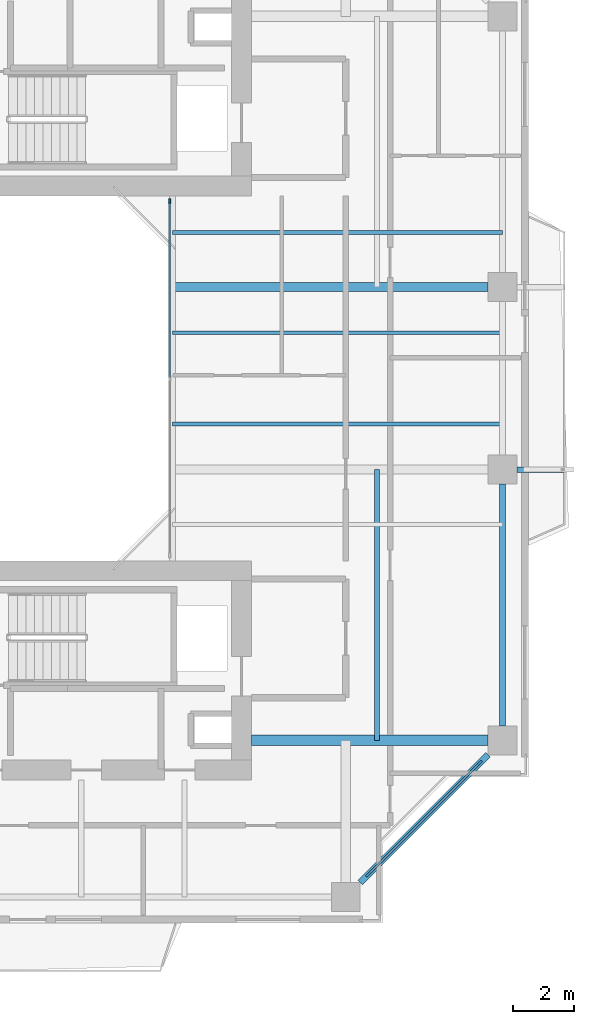
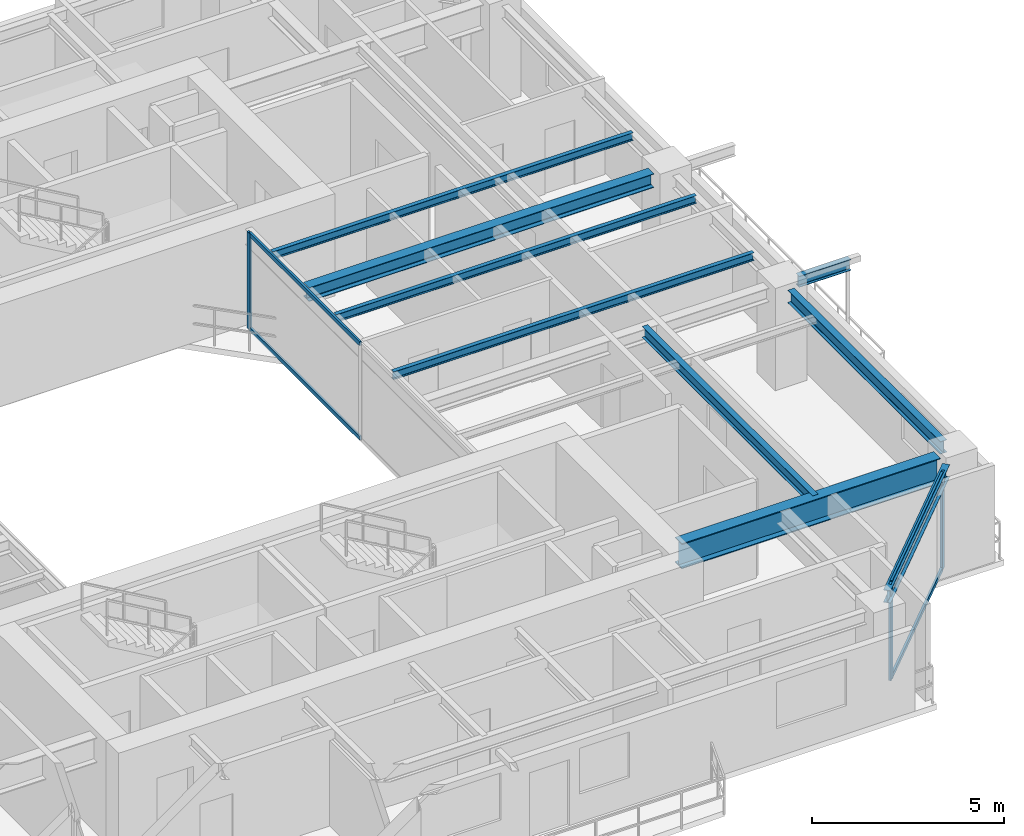
# One storey, part 7 of 18: 9 beams, 7 members, 2 elements without a shape of their own.
"""IFC4 building model written with IfcOpenShell, lengths in metres."""

from ifc_helpers import new_model, si_unit, direction, frame, origin, origin_2d, place, context, subcontext, project, spatial, rectangle, i_section, extrude, source, transform, mapped, material, layer, layer_set, material_profile, profile_set, type_object, element, aggregate, save


model = new_model("IFC4")

# Units and contexts
model_context = context("Model", 3, precision=1e-05, world=origin(), true_north=direction((0.0, 1.0)))
body_context = subcontext(model_context, "Body", "Model", "MODEL_VIEW")
ifc_project = project(units=[si_unit("LENGTHUNIT", "METRE"), si_unit("AREAUNIT", "SQUARE_METRE"), si_unit("VOLUMEUNIT", "CUBIC_METRE"), si_unit("PLANEANGLEUNIT", "RADIAN"), si_unit("MASSUNIT", "GRAM", prefix="KILO"), si_unit("THERMODYNAMICTEMPERATUREUNIT", "KELVIN"), si_unit("POWERUNIT", "WATT")], contexts=[model_context])

# Site, building, storey
site_placement = place(None, origin())
site = spatial("IfcSite", under=ifc_project, at=site_placement, CompositionType="ELEMENT")
building_placement = place(site_placement, origin())
building = spatial("IfcBuilding", under=site, at=building_placement, Name="Qiaomeng Ring Towers", CompositionType="ELEMENT")
storey_placement = place(building_placement, frame((0.0, 0.0, 147.0)))
storey = spatial("IfcBuildingStorey", under=building, at=storey_placement, Name="L42", CompositionType="ELEMENT", Elevation=147.0)

# Beams
ifc_material_1 = material(Name="Steel Q355B", Category="steel")
ifc_material_profile_1 = material_profile(ifc_material_1, i_section(OverallWidth=0.125, OverallDepth=0.25, WebThickness=0.006103515625, FlangeThickness=0.009033203125, FilletRadius=0.011962890625, at=origin_2d()), Name="HN 250x125x6x9")
ifc_profile_set_1 = profile_set([ifc_material_profile_1], Name="Steel Q355B")
beam_type_1 = type_object("IfcBeamType", Name="STR-BM-HN250", PredefinedType="JOIST", material=ifc_profile_set_1)
shared_shape_1 = source(origin(), body_context, "Body", "SweptSolid", [
    extrude(i_section(OverallWidth=0.125, OverallDepth=0.25, WebThickness=0.006103515625, FlangeThickness=0.009033203125, FilletRadius=0.011962890625, at=origin_2d()), origin(), (0.0, 0.0, 1.0), 10.85009765625),
])
for number, where, z_axis, x_axis, name in (
    (1, (25.199951171875, 21.5, 2.945068359375), (1.0, 0.0, 0.0), (0.0, 1.0, 0.0), "L42 beam STR-JST-L42-T1E-2"),
    (2, (25.199951171875, 24.5, 2.945068359375), (1.0, 0.0, 0.0), (0.0, 1.0, 0.0), "L42 beam STR-JST-L42-T1E-3"),
    (3, (25.199951171875, 27.800048828125, 2.945068359375), (1.0, 0.0, 0.0), (0.0, 1.0, 0.0), "L42 beam STR-JST-L42-T1E-4"),
):
    element("IfcBeam", number, at=place(storey_placement, frame(where, z_axis=z_axis, x_axis=x_axis)), inside=storey, type_object=beam_type_1, Name=name, PredefinedType="JOIST", context=body_context, shape_type="MappedRepresentation", body=[
        mapped(shared_shape_1, transform((0.0, 0.0, 0.0), x_axis=(1.0, 0.0, 0.0), y_axis=(0.0, 1.0, 0.0), z_axis=(0.0, 0.0, 1.0), scale=1.0)),
    ])
ifc_material_profile_2 = material_profile(ifc_material_1, i_section(OverallWidth=0.175048828125, OverallDepth=0.35009765625, WebThickness=0.007080078125, FlangeThickness=0.010986328125, FilletRadius=0.013916015625, at=origin_2d()), Name="HN 350x175x7x11")
ifc_profile_set_2 = profile_set([ifc_material_profile_2], Name="Steel Q355B")
beam_type_2 = type_object("IfcBeamType", Name="STR-BM-HN350", PredefinedType="JOIST", material=ifc_profile_set_2)
shared_shape_2 = source(origin(), body_context, "Body", "SweptSolid", [
    extrude(i_section(OverallWidth=0.175048828125, OverallDepth=0.35009765625, WebThickness=0.007080078125, FlangeThickness=0.010986328125, FilletRadius=0.013916015625, at=origin_2d()), origin(), (0.0, 0.0, 1.0), 8.89990234375),
])
beam_1_placement = place(storey_placement, frame((31.925048828125, 11.10009765625, 2.89501953125), z_axis=(0.0, 1.0, 0.0), x_axis=(-1.0, 0.0, 0.0)))
element("IfcBeam", 4, at=beam_1_placement, inside=storey, type_object=beam_type_2, Name="L42 beam STR-JST-L42-T1C-ES", PredefinedType="JOIST", context=body_context, shape_type="MappedRepresentation", body=[
    mapped(shared_shape_2, transform((0.0, 0.0, 0.0), x_axis=(1.0, 0.0, 0.0), y_axis=(0.0, 1.0, 0.0), z_axis=(0.0, 0.0, 1.0), scale=1.0)),
])
ifc_material_profile_3 = material_profile(ifc_material_1, i_section(OverallWidth=0.199951171875, OverallDepth=0.39990234375, WebThickness=0.008056640625, FlangeThickness=0.012939453125, FilletRadius=0.01611328125, at=origin_2d()), Name="HN 400x200x8x13")
ifc_profile_set_3 = profile_set([ifc_material_profile_3], Name="Steel Q355B")
beam_type_3 = type_object("IfcBeamType", Name="STR-BM-HN400", PredefinedType="SPANDREL", material=ifc_profile_set_3)
shared_shape_3 = source(origin(), body_context, "Body", "SweptSolid", [
    extrude(i_section(OverallWidth=0.199951171875, OverallDepth=0.39990234375, WebThickness=0.008056640625, FlangeThickness=0.012939453125, FilletRadius=0.01611328125, at=origin_2d()), origin(), (0.0, 0.0, 1.0), 5.941650390625),
])
beam_2_placement = place(storey_placement, frame((31.374267578125, 6.42431640625, 2.8701171875), z_axis=(0.707106781187, 0.707106781187, 0.0), x_axis=(-0.707106781187, 0.707106781187, 0.0)))
element("IfcBeam", 5, at=beam_2_placement, inside=storey, type_object=beam_type_3, Name="L42 beam STR-SP-L42-T1-S2-E1", PredefinedType="SPANDREL", context=body_context, shape_type="MappedRepresentation", body=[
    mapped(shared_shape_3, transform((0.0, 0.0, 0.0), x_axis=(1.0, 0.0, 0.0), y_axis=(0.0, 1.0, 0.0), z_axis=(0.0, 0.0, 1.0), scale=1.0)),
])
shared_shape_4 = source(origin(), body_context, "Body", "SweptSolid", [
    extrude(i_section(OverallWidth=0.199951171875, OverallDepth=0.39990234375, WebThickness=0.008056640625, FlangeThickness=0.012939453125, FilletRadius=0.01611328125, at=origin_2d()), origin(), (0.0, 0.0, 1.0), 7.951904296875),
])
beam_3_placement = place(storey_placement, frame((36.050048828125, 11.573974609375, 2.8701171875), z_axis=(0.0, 1.0, 0.0), x_axis=(-1.0, 0.0, 0.0)))
element("IfcBeam", 6, at=beam_3_placement, inside=storey, type_object=beam_type_3, Name="L42 beam STR-SP-L42-T1-E1-E2", PredefinedType="SPANDREL", context=body_context, shape_type="MappedRepresentation", body=[
    mapped(shared_shape_4, transform((0.0, 0.0, 0.0), x_axis=(1.0, 0.0, 0.0), y_axis=(0.0, 1.0, 0.0), z_axis=(0.0, 0.0, 1.0), scale=1.0)),
])
ifc_material_2 = material(Name="Steel Q390GJC", Category="steel")
ifc_material_profile_4 = material_profile(ifc_material_2, i_section(OverallWidth=0.35009765625, OverallDepth=0.800048828125, WebThickness=0.01611328125, FlangeThickness=0.028076171875, at=origin_2d()), Name="WH 800x350x16x28")
ifc_profile_set_4 = profile_set([ifc_material_profile_4], Name="Steel Q390GJC")
beam_type_4 = type_object("IfcBeamType", Name="STR-BM-WH800", PredefinedType="BEAM", material=ifc_profile_set_4)
shared_shape_5 = source(origin(), body_context, "Body", "SweptSolid", [
    extrude(i_section(OverallWidth=0.35009765625, OverallDepth=0.800048828125, WebThickness=0.01611328125, FlangeThickness=0.028076171875, at=origin_2d()), origin(), (0.0, 0.0, 1.0), 7.77587890625),
])
beam_4_placement = place(storey_placement, frame((27.800048828125, 11.10009765625, 2.669921875), z_axis=(1.0, 0.0, 0.0), x_axis=(0.0, 1.0, 0.0)))
element("IfcBeam", 7, at=beam_4_placement, inside=storey, type_object=beam_type_4, Name="L42 beam STR-BM-L42-T1-RAD-E1", PredefinedType="BEAM", context=body_context, shape_type="MappedRepresentation", body=[
    mapped(shared_shape_5, transform((0.0, 0.0, 0.0), x_axis=(1.0, 0.0, 0.0), y_axis=(0.0, 1.0, 0.0), z_axis=(0.0, 0.0, 1.0), scale=1.0)),
])
ifc_material_profile_5 = material_profile(ifc_material_1, i_section(OverallWidth=0.300048828125, OverallDepth=0.43994140625, WebThickness=0.010986328125, FlangeThickness=0.01806640625, FilletRadius=0.02392578125, at=origin_2d()), Name="HM 440x300x11x18")
ifc_profile_set_5 = profile_set([ifc_material_profile_5], Name="Steel Q355B")
beam_type_5 = type_object("IfcBeamType", Name="STR-BM-HM440", PredefinedType="BEAM", material=ifc_profile_set_5)
shared_shape_6 = source(origin(), body_context, "Body", "SweptSolid", [
    extrude(i_section(OverallWidth=0.300048828125, OverallDepth=0.43994140625, WebThickness=0.010986328125, FlangeThickness=0.01806640625, FilletRadius=0.02392578125, at=origin_2d()), origin(), (0.0, 0.0, 1.0), 10.3759765625),
])
beam_5_placement = place(storey_placement, frame((25.199951171875, 26.0, 2.85009765625), z_axis=(1.0, 0.0, 0.0), x_axis=(0.0, 1.0, 0.0)))
element("IfcBeam", 8, at=beam_5_placement, inside=storey, type_object=beam_type_5, Name="L42 beam STR-BM-L42-T1-RAD-E3", PredefinedType="BEAM", context=body_context, shape_type="MappedRepresentation", body=[
    mapped(shared_shape_6, transform((0.0, 0.0, 0.0), x_axis=(1.0, 0.0, 0.0), y_axis=(0.0, 1.0, 0.0), z_axis=(0.0, 0.0, 1.0), scale=1.0)),
])
shared_shape_7 = source(origin(), body_context, "Body", "SweptSolid", [
    extrude(i_section(OverallWidth=0.175048828125, OverallDepth=0.35009765625, WebThickness=0.007080078125, FlangeThickness=0.010986328125, FilletRadius=0.013916015625, at=origin_2d()), origin(), (0.0, 0.0, 1.0), 1.55615234375),
])
beam_6_placement = place(storey_placement, frame((36.52392578125, 20.0, 2.89501953125), z_axis=(1.0, 0.0, 0.0), x_axis=(0.0, 1.0, 0.0)))
element("IfcBeam", 9, at=beam_6_placement, inside=storey, type_object=beam_type_2, Name="L42 beam STR-BALBM-L42-E2", PredefinedType="JOIST", context=body_context, shape_type="MappedRepresentation", body=[
    mapped(shared_shape_7, transform((0.0, 0.0, 0.0), x_axis=(1.0, 0.0, 0.0), y_axis=(0.0, 1.0, 0.0), z_axis=(0.0, 0.0, 1.0), scale=1.0)),
])

# Curtain wall, members
ifc_material_3 = material(Name="Fluorocarbon dark-grey aluminium", Category="aluminium")
ifc_layer_1 = layer(ifc_material_3, 0.139892578125, Name="Fluorocarbon dark-grey aluminium")
ifc_layer_set_1 = layer_set([ifc_layer_1], Name="Fluorocarbon dark-grey aluminium")
curtain_wall_type_1 = type_object("IfcCurtainWallType", Name="ARC-CW-4", PredefinedType="NOTDEFINED", material=ifc_layer_set_1)
curtain_wall_1_placement = place(storey_placement, origin())
curtain_wall_1 = element("IfcCurtainWall", 10, at=curtain_wall_1_placement, inside=storey, type_object=curtain_wall_type_1, Name="L42 Curtain Wall CW4", PredefinedType="NOTDEFINED")
ifc_material_profile_6 = material_profile(ifc_material_3, rectangle(XDim=0.06494140625, YDim=0.159912109375, at=origin_2d()), Name="ALU MULL 65x160")
ifc_profile_set_6 = profile_set([ifc_material_profile_6], Name="Fluorocarbon dark-grey aluminium")
member_type_1 = type_object("IfcMemberType", Name="ARC-CWM-140", PredefinedType="MULLION", material=ifc_profile_set_6)
shared_shape_8 = source(origin(), body_context, "Body", "SweptSolid", [
    extrude(rectangle(XDim=0.06494140625, YDim=0.159912109375, at=origin_2d()), origin(), (0.0, 0.0, 1.0), 3.070068359375),
])
member_1_placement = place(storey_placement, frame((25.1201171875, 28.8173828125, 0.0), z_axis=(0.0, 0.0, 1.0), x_axis=(-1.0, 0.0, 0.0)))
member_1 = element("IfcMember", 11, at=member_1_placement, type_object=member_type_1, Name="CW4 mullion 3", PredefinedType="MULLION", context=body_context, shape_type="MappedRepresentation", body=[
    mapped(shared_shape_8, transform((0.0, 0.0, 0.0), x_axis=(1.0, 0.0, 0.0), y_axis=(0.0, 1.0, 0.0), z_axis=(0.0, 0.0, 1.0), scale=1.0)),
])
ifc_material_profile_7 = material_profile(ifc_material_3, rectangle(XDim=0.06494140625, YDim=0.1298828125, at=origin_2d()), Name="ALU TRAN 65x130")
ifc_profile_set_7 = profile_set([ifc_material_profile_7], Name="Fluorocarbon dark-grey aluminium")
member_type_2 = type_object("IfcMemberType", Name="ARC-CWT-120", PredefinedType="USERDEFINED", material=ifc_profile_set_7)
shared_shape_9 = source(origin(), body_context, "Body", "SweptSolid", [
    extrude(rectangle(XDim=0.06494140625, YDim=0.1298828125, at=origin_2d()), origin(), (0.0, 0.0, 1.0), 5.75244140625),
])
member_2_placement = place(storey_placement, frame((25.1201171875, 23.032470703125, 0.032470703125), z_axis=(0.0, 1.0, 0.0), x_axis=(-1.0, 0.0, 0.0)))
member_2 = element("IfcMember", 12, at=member_2_placement, type_object=member_type_2, Name="CW4 transom 2.1", ObjectType="TRANSOM", PredefinedType="USERDEFINED", context=body_context, shape_type="MappedRepresentation", body=[
    mapped(shared_shape_9, transform((0.0, 0.0, 0.0), x_axis=(1.0, 0.0, 0.0), y_axis=(0.0, 1.0, 0.0), z_axis=(0.0, 0.0, 1.0), scale=1.0)),
])
member_3_placement = place(storey_placement, frame((25.1201171875, 23.032470703125, 3.03759765625), z_axis=(0.0, 1.0, 0.0), x_axis=(-1.0, 0.0, 0.0)))
member_3 = element("IfcMember", 13, at=member_3_placement, type_object=member_type_2, Name="CW4 transom 2.2", ObjectType="TRANSOM", PredefinedType="USERDEFINED", context=body_context, shape_type="MappedRepresentation", body=[
    mapped(shared_shape_9, transform((0.0, 0.0, 0.0), x_axis=(1.0, 0.0, 0.0), y_axis=(0.0, 1.0, 0.0), z_axis=(0.0, 0.0, 1.0), scale=1.0)),
])
aggregate(curtain_wall_1, [member_1, member_2, member_3])

ifc_layer_2 = layer(ifc_material_3, 0.14990234375, Name="Fluorocarbon dark-grey aluminium")
ifc_layer_set_2 = layer_set([ifc_layer_2], Name="Fluorocarbon dark-grey aluminium")
curtain_wall_type_2 = type_object("IfcCurtainWallType", Name="ARC-CW-3", PredefinedType="NOTDEFINED", material=ifc_layer_set_2)
curtain_wall_2_placement = place(storey_placement, origin())
curtain_wall_2 = element("IfcCurtainWall", 14, at=curtain_wall_2_placement, inside=storey, type_object=curtain_wall_type_2, Name="L42 Curtain Wall CW3", PredefinedType="NOTDEFINED")
ifc_material_profile_8 = material_profile(ifc_material_3, rectangle(XDim=0.070068359375, YDim=0.179931640625, at=origin_2d()), Name="ALU MULL 70x180")
ifc_profile_set_8 = profile_set([ifc_material_profile_8], Name="Fluorocarbon dark-grey aluminium")
member_type_3 = type_object("IfcMemberType", Name="ARC-CWM-160", PredefinedType="MULLION", material=ifc_profile_set_8)
shared_shape_10 = source(origin(), body_context, "Body", "SweptSolid", [
    extrude(rectangle(XDim=0.070068359375, YDim=0.179931640625, at=origin_2d()), origin(), (0.0, 0.0, 1.0), 3.070068359375),
])
member_4_placement = place(storey_placement, frame((31.6396484375, 6.689697265625, 0.0), z_axis=(0.0, 0.0, 1.0), x_axis=(-0.707106781187, 0.707106781187, 0.0)))
member_4 = element("IfcMember", 15, at=member_4_placement, type_object=member_type_3, Name="CW3 mullion 1", PredefinedType="MULLION", context=body_context, shape_type="MappedRepresentation", body=[
    mapped(shared_shape_10, transform((0.0, 0.0, 0.0), x_axis=(1.0, 0.0, 0.0), y_axis=(0.0, 1.0, 0.0), z_axis=(0.0, 0.0, 1.0), scale=1.0)),
])
member_5_placement = place(storey_placement, frame((35.310302734375, 10.3603515625, 0.0), z_axis=(0.0, 0.0, 1.0), x_axis=(-0.707106781187, 0.707106781187, 0.0)))
member_5 = element("IfcMember", 16, at=member_5_placement, type_object=member_type_3, Name="CW3 mullion 2", PredefinedType="MULLION", context=body_context, shape_type="MappedRepresentation", body=[
    mapped(shared_shape_10, transform((0.0, 0.0, 0.0), x_axis=(1.0, 0.0, 0.0), y_axis=(0.0, 1.0, 0.0), z_axis=(0.0, 0.0, 1.0), scale=1.0)),
])
shared_shape_11 = source(origin(), body_context, "Body", "SweptSolid", [
    extrude(rectangle(XDim=0.06494140625, YDim=0.1298828125, at=origin_2d()), origin(), (0.0, 0.0, 1.0), 5.12060546875),
])
member_6_placement = place(storey_placement, frame((31.66455078125, 6.714599609375, 0.032470703125), z_axis=(0.707106781187, 0.707106781187, 0.0), x_axis=(-0.707106781187, 0.707106781187, 0.0)))
member_6 = element("IfcMember", 17, at=member_6_placement, type_object=member_type_2, Name="CW3 transom 1.1", ObjectType="TRANSOM", PredefinedType="USERDEFINED", context=body_context, shape_type="MappedRepresentation", body=[
    mapped(shared_shape_11, transform((0.0, 0.0, 0.0), x_axis=(1.0, 0.0, 0.0), y_axis=(0.0, 1.0, 0.0), z_axis=(0.0, 0.0, 1.0), scale=1.0)),
])
member_7_placement = place(storey_placement, frame((31.66455078125, 6.714599609375, 3.03759765625), z_axis=(0.707106781187, 0.707106781187, 0.0), x_axis=(-0.707106781187, 0.707106781187, 0.0)))
member_7 = element("IfcMember", 18, at=member_7_placement, type_object=member_type_2, Name="CW3 transom 1.2", ObjectType="TRANSOM", PredefinedType="USERDEFINED", context=body_context, shape_type="MappedRepresentation", body=[
    mapped(shared_shape_11, transform((0.0, 0.0, 0.0), x_axis=(1.0, 0.0, 0.0), y_axis=(0.0, 1.0, 0.0), z_axis=(0.0, 0.0, 1.0), scale=1.0)),
])
aggregate(curtain_wall_2, [member_4, member_5, member_6, member_7])

save(model, "model.ifc")
